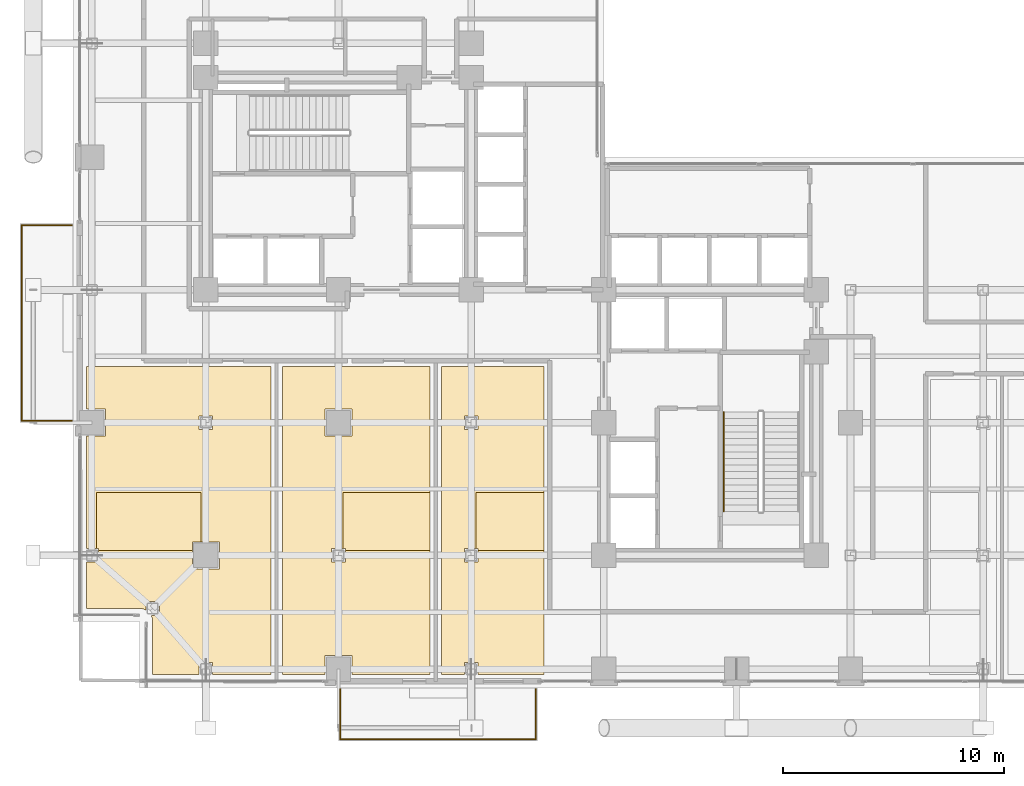
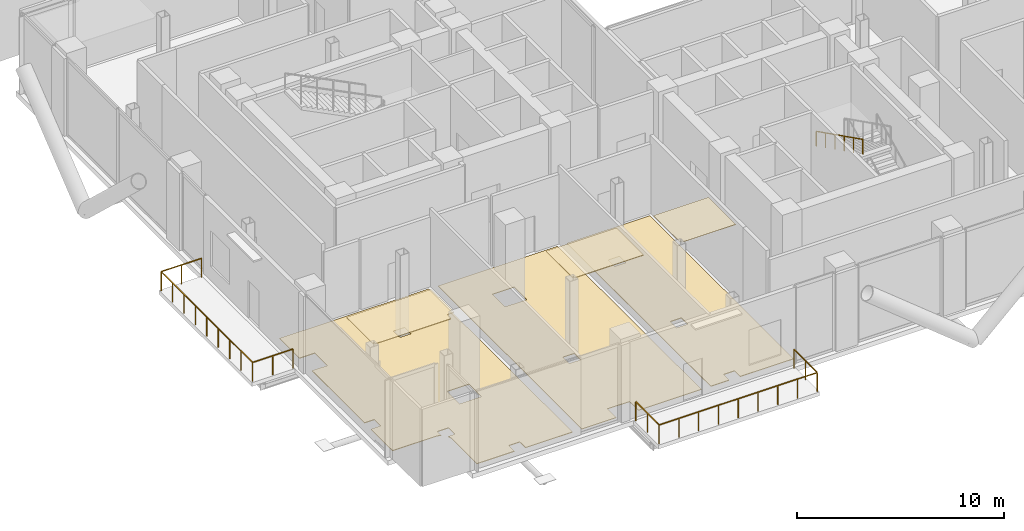
# One storey, part 22 of 25: 6 coverings, 3 railings.
"""IFC4 building model written with IfcOpenShell, lengths in metres."""

from ifc_helpers import new_model, si_unit, direction, frame, origin, origin_2d, place, context, subcontext, project, spatial, polyline, rectangle, outline, extrude, material, layer, layer_set, type_object, element, save


model = new_model("IFC4")

# Units and contexts
model_context = context("Model", 3, precision=1e-05, world=origin(), true_north=direction((0.0, 1.0)))
body_context = subcontext(model_context, "Body", "Model", "MODEL_VIEW")
ifc_project = project(units=[si_unit("LENGTHUNIT", "METRE"), si_unit("AREAUNIT", "SQUARE_METRE"), si_unit("VOLUMEUNIT", "CUBIC_METRE"), si_unit("PLANEANGLEUNIT", "RADIAN"), si_unit("MASSUNIT", "GRAM", prefix="KILO"), si_unit("THERMODYNAMICTEMPERATUREUNIT", "KELVIN"), si_unit("POWERUNIT", "WATT")], contexts=[model_context])

# Site, building, storey
site_placement = place(None, origin())
site = spatial("IfcSite", under=ifc_project, at=site_placement, CompositionType="ELEMENT")
building_placement = place(site_placement, origin())
building = spatial("IfcBuilding", under=site, at=building_placement, Name="Svarakhadi Broadcast Tower", CompositionType="ELEMENT")
storey_placement = place(building_placement, frame((0.0, 0.0, 110.85009765625)))
storey = spatial("IfcBuildingStorey", under=building, at=storey_placement, Name="L26", CompositionType="ELEMENT", Elevation=110.85009765625)

# Coverings
ifc_material_1 = material(Name="Anodised Bronze Aluminium Linear Acoustic Baffle", Category="aluminium")
ifc_layer_1 = layer(ifc_material_1, 0.044921875)
ifc_layer_set_1 = layer_set([ifc_layer_1], Name="Anodised Bronze Aluminium Linear Acoustic Baffle")
covering_type_1 = type_object("IfcCoveringType", Name="Cov_Ceiling_Baffle", PredefinedType="CEILING", material=ifc_layer_set_1)
covering_1_placement = place(storey_placement, frame((0.0, 0.0, 4.52978515625)))
element("IfcCovering", 1, at=covering_1_placement, inside=storey, type_object=covering_type_1, Name="L26 L26 Sky Lobby Harbour Panorama Lounge Acoustic Ceiling", PredefinedType="CEILING", context=body_context, shape_type="SweptSolid", body=[
    extrude(outline(polyline([(3.389892578125, 6.2099609375), (1.159912109375, 6.2099609375), (1.159912109375, 6.31005859375), (1.06005859375, 6.31005859375), (1.06005859375, 8.844970703125), (5.7900390625, 8.844970703125), (5.7900390625, 6.610107421875), (5.389892578125, 6.610107421875), (5.389892578125, 6.2099609375), (3.81005859375, 6.2099609375), (3.389892578125, 6.2099609375)])), origin(), (0.0, 0.0, 1.0), 0.045166015625),
])
covering_2_placement = place(storey_placement, frame((0.0, 0.0, 4.52978515625)))
element("IfcCovering", 2, at=covering_2_placement, inside=storey, type_object=covering_type_1, Name="L26 L26 Sky-Bridge Espresso and Dining Bar Acoustic Ceiling", PredefinedType="CEILING", context=body_context, shape_type="SweptSolid", body=[
    extrude(outline(polyline([(16.139892578125, 6.2099609375), (12.31005859375, 6.2099609375), (12.31005859375, 6.31005859375), (12.2099609375, 6.31005859375), (12.2099609375, 8.844970703125), (16.139892578125, 8.844970703125), (16.139892578125, 6.2099609375)])), origin(), (0.0, 0.0, 1.0), 0.045166015625),
])
ifc_material_2 = material(Name="Micro-Perforated Mineral Fibre Acoustic Ceiling Tile", Category="mineral_fibre")
ifc_layer_2 = layer(ifc_material_2, 0.02490234375)
ifc_layer_set_2 = layer_set([ifc_layer_2], Name="Micro-Perforated Mineral Fibre Acoustic Ceiling Tile")
covering_type_2 = type_object("IfcCoveringType", Name="Cov_Ceiling_Tile", PredefinedType="CEILING", material=ifc_layer_set_2)
covering_3_placement = place(storey_placement, frame((0.0, 0.0, 4.5498046875)))
element("IfcCovering", 3, at=covering_3_placement, inside=storey, type_object=covering_type_2, Name="L26 L26 Transfer Security Office Acoustic Ceiling", PredefinedType="CEILING", context=body_context, shape_type="SweptSolid", body=[
    extrude(outline(polyline([(21.2900390625, 6.2099609375), (18.31005859375, 6.2099609375), (18.31005859375, 6.31005859375), (18.2099609375, 6.31005859375), (18.2099609375, 8.844970703125), (21.2900390625, 8.844970703125), (21.2900390625, 6.2099609375)])), origin(), (0.0, 0.0, 1.0), 0.025146484375),
])
ifc_material_3 = material(Name="Honed Konkan Basalt Stone Tile Flooring", Category="masonry")
ifc_layer_3 = layer(ifc_material_3, 0.034912109375)
ifc_layer_set_3 = layer_set([ifc_layer_3], Name="Honed Konkan Basalt Stone Tile Flooring")
covering_type_3 = type_object("IfcCoveringType", Name="Cov_Floor_Basalt", PredefinedType="FLOORING", material=ifc_layer_set_3)
covering_4_placement = place(storey_placement, origin())
element("IfcCovering", 4, at=covering_4_placement, inside=storey, type_object=covering_type_3, Name="L26 L26 Sky Lobby Harbour Panorama Lounge Floor Finish", PredefinedType="FLOORING", context=body_context, shape_type="SweptSolid", body=[
    extrude(outline(polyline([(8.93994140625, 0.610107421875), (6.31005859375, 0.610107421875), (6.31005859375, 1.159912109375), (5.68994140625, 1.159912109375), (5.68994140625, 0.610107421875), (3.60009765625, 0.610107421875), (3.60009765625, 3.0), (3.60009765625, 3.009033203125), (3.597900390625, 3.050048828125), (3.595947265625, 3.06689453125), (3.590087890625, 3.10791015625), (3.5869140625, 3.1259765625), (3.576904296875, 3.166015625), (3.571044921875, 3.18310546875), (3.556884765625, 3.221923828125), (3.550048828125, 3.239990234375), (3.531982421875, 3.277099609375), (3.52490234375, 3.2900390625), (3.909912109375, 3.2900390625), (3.909912109375, 3.909912109375), (3.2900390625, 3.909912109375), (3.2900390625, 3.52490234375), (3.277099609375, 3.531982421875), (3.239990234375, 3.550048828125), (3.221923828125, 3.556884765625), (3.18310546875, 3.571044921875), (3.166015625, 3.576904296875), (3.1259765625, 3.5869140625), (3.10791015625, 3.590087890625), (3.06689453125, 3.595947265625), (3.050048828125, 3.597900390625), (3.009033203125, 3.60009765625), (3.0, 3.60009765625), (0.610107421875, 3.60009765625), (0.610107421875, 5.68994140625), (1.159912109375, 5.68994140625), (1.159912109375, 6.31005859375), (0.610107421875, 6.31005859375), (0.610107421875, 11.389892578125), (1.4599609375, 11.389892578125), (1.4599609375, 12.610107421875), (0.610107421875, 12.610107421875), (0.610107421875, 14.5400390625), (8.93994140625, 14.5400390625), (8.93994140625, 0.610107421875)]), holes=[polyline([(6.610107421875, 5.389892578125), (6.610107421875, 6.610107421875), (5.389892578125, 6.610107421875), (5.389892578125, 5.389892578125), (6.610107421875, 5.389892578125)]), polyline([(5.68994140625, 11.68994140625), (6.31005859375, 11.68994140625), (6.31005859375, 12.31005859375), (5.68994140625, 12.31005859375), (5.68994140625, 11.68994140625)])]), origin(), (0.0, 0.0, 1.0), 0.034912109375),
])
covering_5_placement = place(storey_placement, origin())
element("IfcCovering", 5, at=covering_5_placement, inside=storey, type_object=covering_type_3, Name="L26 L26 Transfer Security Office Floor Finish", PredefinedType="FLOORING", context=body_context, shape_type="SweptSolid", body=[
    extrude(outline(polyline([(21.2900390625, 14.5400390625), (21.2900390625, 0.610107421875), (18.31005859375, 0.610107421875), (18.31005859375, 1.159912109375), (17.68994140625, 1.159912109375), (17.68994140625, 0.610107421875), (16.659912109375, 0.610107421875), (16.659912109375, 14.5400390625), (21.2900390625, 14.5400390625)]), holes=[polyline([(17.68994140625, 5.68994140625), (18.31005859375, 5.68994140625), (18.31005859375, 6.31005859375), (17.68994140625, 6.31005859375), (17.68994140625, 5.68994140625)]), polyline([(17.68994140625, 11.68994140625), (18.31005859375, 11.68994140625), (18.31005859375, 12.31005859375), (17.68994140625, 12.31005859375), (17.68994140625, 11.68994140625)])]), origin(), (0.0, 0.0, 1.0), 0.034912109375),
])
ifc_material_4 = material(Name="Polished White Marble-Chip Terrazzo Flooring", Category="masonry")
ifc_layer_4 = layer(ifc_material_4, 0.030029296875)
ifc_layer_set_4 = layer_set([ifc_layer_4], Name="Polished White Marble-Chip Terrazzo Flooring")
covering_type_4 = type_object("IfcCoveringType", Name="Cov_Floor_Terrazzo", PredefinedType="FLOORING", material=ifc_layer_set_4)
covering_6_placement = place(storey_placement, origin())
element("IfcCovering", 6, at=covering_6_placement, inside=storey, type_object=covering_type_4, Name="L26 L26 Sky-Bridge Espresso and Dining Bar Floor Finish", PredefinedType="FLOORING", context=body_context, shape_type="SweptSolid", body=[
    extrude(outline(polyline([(16.139892578125, 14.5400390625), (16.139892578125, 0.610107421875), (12.610107421875, 0.610107421875), (12.610107421875, 1.4599609375), (11.389892578125, 1.4599609375), (11.389892578125, 0.610107421875), (9.4599609375, 0.610107421875), (9.4599609375, 14.5400390625), (16.139892578125, 14.5400390625)]), holes=[polyline([(11.68994140625, 5.68994140625), (12.31005859375, 5.68994140625), (12.31005859375, 6.31005859375), (11.68994140625, 6.31005859375), (11.68994140625, 5.68994140625)]), polyline([(11.389892578125, 11.389892578125), (12.610107421875, 11.389892578125), (12.610107421875, 12.610107421875), (11.389892578125, 12.610107421875), (11.389892578125, 11.389892578125)])]), origin(), (0.0, 0.0, 1.0), 0.02978515625),
])

# Railings
ifc_material_5 = material(Name="Laminated Structural SentryGlas Balustrade 25.5 mm", Category="glass")
railing_type_1 = type_object("IfcRailingType", Name="Guard_Balcony_GR01", PredefinedType="BALUSTRADE", material=ifc_material_5)
railing_1_placement = place(storey_placement, frame((12.080078125, -0.06005859375, 0.0)))
element("IfcRailing", 7, at=railing_1_placement, inside=storey, type_object=railing_type_1, Name="L26 South Tree Balcony Guard GR-05", PredefinedType="BALUSTRADE", context=body_context, shape_type="SweptSolid", body=[
    extrude(rectangle(XDim=0.048095703125, YDim=0.048095703125, at=origin_2d()), frame((0.0, 0.0, 1.1259765625), z_axis=(0.0, -1.0, 0.0), x_axis=(1.0, 0.0, 0.0)), (0.0, 0.0, 1.0), 2.260009765625),
    extrude(rectangle(XDim=0.048095703125, YDim=0.048095703125, at=origin_2d()), frame((0.0, -2.260009765625, 1.1259765625), z_axis=(1.0, 0.0, 0.0), x_axis=(0.0, 1.0, 0.0)), (0.0, 0.0, 1.0), 8.83984375),
    extrude(rectangle(XDim=0.048095703125, YDim=0.048095703125, at=origin_2d()), frame((8.83984375, -2.260009765625, 1.1259765625), z_axis=(0.0, 1.0, 0.0), x_axis=(-1.0, 0.0, 0.0)), (0.0, 0.0, 1.0), 2.260009765625),
    extrude(rectangle(XDim=0.0419921875, YDim=0.0419921875, at=origin_2d()), origin(), (0.0, 0.0, 1.0), 1.101806640625),
    extrude(rectangle(XDim=0.0419921875, YDim=0.0419921875, at=origin_2d()), frame((0.0, -1.1298828125, 0.0)), (0.0, 0.0, 1.0), 1.101806640625),
    extrude(rectangle(XDim=0.0419921875, YDim=0.0419921875, at=origin_2d()), frame((0.0, -2.260009765625, 0.0)), (0.0, 0.0, 1.0), 1.101806640625),
    extrude(rectangle(XDim=0.0419921875, YDim=0.0419921875, at=origin_2d()), frame((1.10498046875, -2.260009765625, 0.0)), (0.0, 0.0, 1.0), 1.101806640625),
    extrude(rectangle(XDim=0.0419921875, YDim=0.0419921875, at=origin_2d()), frame((2.2099609375, -2.260009765625, 0.0)), (0.0, 0.0, 1.0), 1.101806640625),
    extrude(rectangle(XDim=0.0419921875, YDim=0.0419921875, at=origin_2d()), frame((3.31494140625, -2.260009765625, 0.0)), (0.0, 0.0, 1.0), 1.101806640625),
    extrude(rectangle(XDim=0.0419921875, YDim=0.0419921875, at=origin_2d()), frame((4.419921875, -2.260009765625, 0.0)), (0.0, 0.0, 1.0), 1.101806640625),
    extrude(rectangle(XDim=0.0419921875, YDim=0.0419921875, at=origin_2d()), frame((5.52490234375, -2.260009765625, 0.0)), (0.0, 0.0, 1.0), 1.101806640625),
    extrude(rectangle(XDim=0.0419921875, YDim=0.0419921875, at=origin_2d()), frame((6.6298828125, -2.260009765625, 0.0)), (0.0, 0.0, 1.0), 1.101806640625),
    extrude(rectangle(XDim=0.0419921875, YDim=0.0419921875, at=origin_2d()), frame((7.73486328125, -2.260009765625, 0.0)), (0.0, 0.0, 1.0), 1.101806640625),
    extrude(rectangle(XDim=0.0419921875, YDim=0.0419921875, at=origin_2d()), frame((8.83984375, -2.260009765625, 0.0)), (0.0, 0.0, 1.0), 1.101806640625),
    extrude(rectangle(XDim=0.0419921875, YDim=0.0419921875, at=origin_2d()), frame((8.83984375, -1.1298828125, 0.0)), (0.0, 0.0, 1.0), 1.101806640625),
    extrude(rectangle(XDim=0.0419921875, YDim=0.0419921875, at=origin_2d()), frame((8.83984375, 0.0, 0.0)), (0.0, 0.0, 1.0), 1.101806640625),
])
railing_2_placement = place(storey_placement, frame((-0.06005859375, 12.080078125, 0.0)))
element("IfcRailing", 8, at=railing_2_placement, inside=storey, type_object=railing_type_1, Name="L26 West Tree Balcony Guard GR-05", PredefinedType="BALUSTRADE", context=body_context, shape_type="SweptSolid", body=[
    extrude(rectangle(XDim=0.048095703125, YDim=0.048095703125, at=origin_2d()), frame((0.0, 0.0, 1.1259765625), z_axis=(-1.0, 0.0, 0.0), x_axis=(0.0, -1.0, 0.0)), (0.0, 0.0, 1.0), 2.260009765625),
    extrude(rectangle(XDim=0.048095703125, YDim=0.048095703125, at=origin_2d()), frame((-2.260009765625, 0.0, 1.1259765625), z_axis=(0.0, 1.0, 0.0), x_axis=(-1.0, 0.0, 0.0)), (0.0, 0.0, 1.0), 8.83984375),
    extrude(rectangle(XDim=0.048095703125, YDim=0.048095703125, at=origin_2d()), frame((-2.260009765625, 8.83984375, 1.1259765625), z_axis=(1.0, 0.0, 0.0), x_axis=(0.0, 1.0, 0.0)), (0.0, 0.0, 1.0), 2.260009765625),
    extrude(rectangle(XDim=0.0419921875, YDim=0.0419921875, at=origin_2d()), origin(), (0.0, 0.0, 1.0), 1.101806640625),
    extrude(rectangle(XDim=0.0419921875, YDim=0.0419921875, at=origin_2d()), frame((-1.1298828125, 0.0, 0.0)), (0.0, 0.0, 1.0), 1.101806640625),
    extrude(rectangle(XDim=0.0419921875, YDim=0.0419921875, at=origin_2d()), frame((-2.260009765625, 0.0, 0.0)), (0.0, 0.0, 1.0), 1.101806640625),
    extrude(rectangle(XDim=0.0419921875, YDim=0.0419921875, at=origin_2d()), frame((-2.260009765625, 1.10498046875, 0.0)), (0.0, 0.0, 1.0), 1.101806640625),
    extrude(rectangle(XDim=0.0419921875, YDim=0.0419921875, at=origin_2d()), frame((-2.260009765625, 2.2099609375, 0.0)), (0.0, 0.0, 1.0), 1.101806640625),
    extrude(rectangle(XDim=0.0419921875, YDim=0.0419921875, at=origin_2d()), frame((-2.260009765625, 3.31494140625, 0.0)), (0.0, 0.0, 1.0), 1.101806640625),
    extrude(rectangle(XDim=0.0419921875, YDim=0.0419921875, at=origin_2d()), frame((-2.260009765625, 4.419921875, 0.0)), (0.0, 0.0, 1.0), 1.101806640625),
    extrude(rectangle(XDim=0.0419921875, YDim=0.0419921875, at=origin_2d()), frame((-2.260009765625, 5.52490234375, 0.0)), (0.0, 0.0, 1.0), 1.101806640625),
    extrude(rectangle(XDim=0.0419921875, YDim=0.0419921875, at=origin_2d()), frame((-2.260009765625, 6.6298828125, 0.0)), (0.0, 0.0, 1.0), 1.101806640625),
    extrude(rectangle(XDim=0.0419921875, YDim=0.0419921875, at=origin_2d()), frame((-2.260009765625, 7.73486328125, 0.0)), (0.0, 0.0, 1.0), 1.101806640625),
    extrude(rectangle(XDim=0.0419921875, YDim=0.0419921875, at=origin_2d()), frame((-2.260009765625, 8.83984375, 0.0)), (0.0, 0.0, 1.0), 1.101806640625),
    extrude(rectangle(XDim=0.0419921875, YDim=0.0419921875, at=origin_2d()), frame((-1.1298828125, 8.83984375, 0.0)), (0.0, 0.0, 1.0), 1.101806640625),
    extrude(rectangle(XDim=0.0419921875, YDim=0.0419921875, at=origin_2d()), frame((0.0, 8.83984375, 0.0)), (0.0, 0.0, 1.0), 1.101806640625),
])
ifc_material_6 = material(Name="Anodised Bronze Aluminium AA 6063-T6", Category="aluminium")
railing_type_2 = type_object("IfcRailingType", Name="Handrail_Stair_HR01", PredefinedType="HANDRAIL", material=ifc_material_6)
railing_3_placement = place(storey_placement, frame((29.409912109375, 12.47998046875, 2.5498046875)))
element("IfcRailing", 9, at=railing_3_placement, inside=storey, type_object=railing_type_2, Name="L26 ST-02 stair handrail 2", PredefinedType="HANDRAIL", context=body_context, shape_type="SweptSolid", body=[
    extrude(rectangle(XDim=0.048095703125, YDim=0.048095703125, at=origin_2d()), frame((0.0, 0.0, 0.8759765625), z_axis=(0.0, -0.894427191, 0.4472135955), x_axis=(1.0, 0.0, 0.0)), (0.0, 0.0, 1.0), 5.03125),
    extrude(rectangle(XDim=0.0419921875, YDim=0.0419921875, at=origin_2d()), origin(), (0.0, 0.0, 1.0), 0.851806640625),
    extrude(rectangle(XDim=0.0419921875, YDim=0.0419921875, at=origin_2d()), frame((0.0, -0.89990234375, 0.449951171875)), (0.0, 0.0, 1.0), 0.851806640625),
    extrude(rectangle(XDim=0.0419921875, YDim=0.0419921875, at=origin_2d()), frame((0.0, -1.800048828125, 0.89990234375)), (0.0, 0.0, 1.0), 0.851806640625),
    extrude(rectangle(XDim=0.0419921875, YDim=0.0419921875, at=origin_2d()), frame((0.0, -2.699951171875, 1.35009765625)), (0.0, 0.0, 1.0), 0.851806640625),
    extrude(rectangle(XDim=0.0419921875, YDim=0.0419921875, at=origin_2d()), frame((0.0, -3.60009765625, 1.800048828125)), (0.0, 0.0, 1.0), 0.851806640625),
    extrude(rectangle(XDim=0.0419921875, YDim=0.0419921875, at=origin_2d()), frame((0.0, -4.5, 2.25)), (0.0, 0.0, 1.0), 0.851806640625),
])

save(model, "model.ifc")
